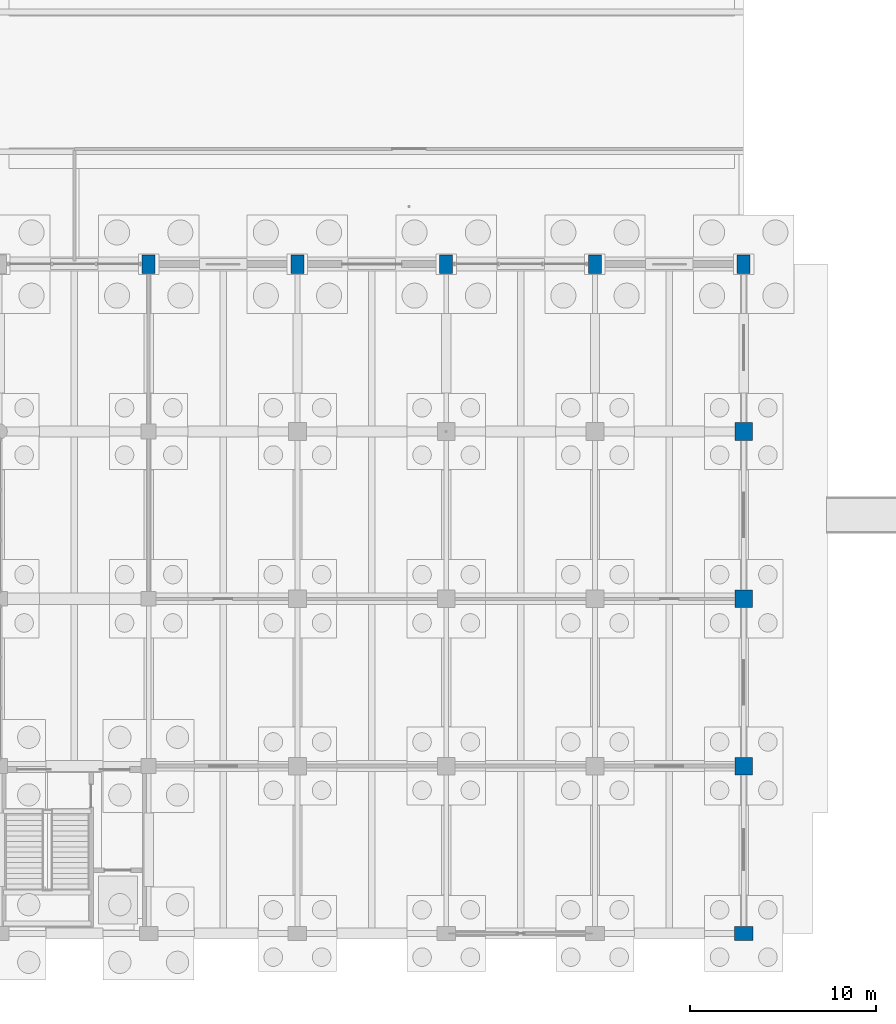
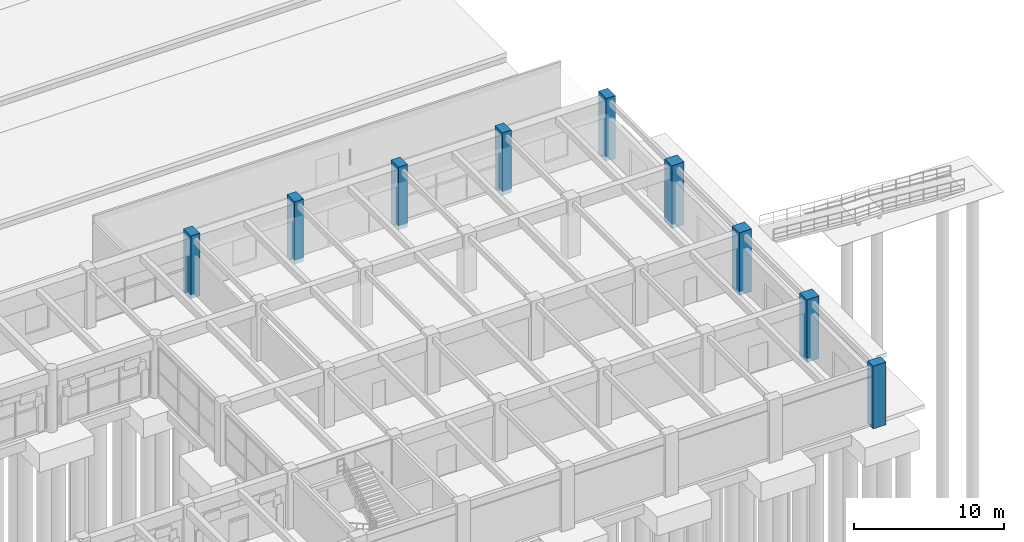
# One storey, part 20 of 147: 9 columns.
"""IFC4 building model written with IfcOpenShell, lengths in metres."""

from ifc_helpers import new_model, si_unit, direction, frame, origin, origin_2d, place, context, subcontext, project, spatial, rectangle, extrude, material, material_profile, profile_set, type_object, element, save


model = new_model("IFC4")

# Units and contexts
model_context = context("Model", 3, precision=1e-05, world=origin(), true_north=direction((0.0, 1.0)))
body_context = subcontext(model_context, "Body", "Model", "MODEL_VIEW")
ifc_project = project(units=[si_unit("LENGTHUNIT", "METRE"), si_unit("AREAUNIT", "SQUARE_METRE"), si_unit("VOLUMEUNIT", "CUBIC_METRE"), si_unit("PLANEANGLEUNIT", "RADIAN"), si_unit("MASSUNIT", "GRAM", prefix="KILO")], contexts=[model_context])

# Site, building, storey
site_placement = place(None, origin())
site = spatial("IfcSite", under=ifc_project, at=site_placement, CompositionType="ELEMENT")
building_placement = place(site_placement, origin())
building = spatial("IfcBuilding", under=site, at=building_placement, Name="Varnabhumi Central Station", CompositionType="ELEMENT")
storey_placement = place(building_placement, origin())
storey = spatial("IfcBuildingStorey", under=building, at=storey_placement, Name="L00", CompositionType="ELEMENT", Elevation=0.0)

# Columns
ifc_material = material(Name="Concrete M50", Category="concrete")
ifc_material_profile_1 = material_profile(ifc_material, rectangle(XDim=1.0, YDim=0.75, at=origin_2d()), Name="Concrete M50", Category="concrete")
ifc_profile_set_1 = profile_set([ifc_material_profile_1], Name="Concrete M50")
column_type_1 = type_object("IfcColumnType", Name="COL-RC-1000x750", PredefinedType="PILASTER", material=ifc_profile_set_1)
column_placement = place(storey_placement, frame((184.0, 0.0, -0.300048828125), z_axis=(0.0, 0.0, 1.0), x_axis=(1.0, 0.0, 0.0)))
element("IfcColumn", 1, at=column_placement, inside=storey, type_object=column_type_1, Name="Column L00-24A", PredefinedType="PILASTER", context=body_context, shape_type="SweptSolid", body=[
    extrude(rectangle(XDim=1.0, YDim=0.75, at=origin_2d()), origin(), (0.0, 0.0, 1.0), 5.10009765625),
])
ifc_material_profile_2 = material_profile(ifc_material, rectangle(XDim=0.949951171875, YDim=0.949951171875, at=origin_2d()), Name="Concrete M50", Category="concrete")
ifc_profile_set_2 = profile_set([ifc_material_profile_2], Name="Concrete M50")
column_type_2 = type_object("IfcColumnType", Name="COL-RC-950", PredefinedType="COLUMN", material=ifc_profile_set_2)
for number, where, z_axis, x_axis, name in (
    (2, (184.0, 9.0, -0.300048828125), (0.0, 0.0, 1.0), (1.0, 0.0, 0.0), "Column L00-24B"),
    (3, (184.0, 18.0, -0.300048828125), (0.0, 0.0, 1.0), (1.0, 0.0, 0.0), "Column L00-24C"),
    (4, (184.0, 27.0, -0.300048828125), (0.0, 0.0, 1.0), (1.0, 0.0, 0.0), "Column L00-24D"),
):
    element("IfcColumn", number, at=place(storey_placement, frame(where, z_axis=z_axis, x_axis=x_axis)), inside=storey, type_object=column_type_2, Name=name, PredefinedType="COLUMN", context=body_context, shape_type="SweptSolid", body=[
        extrude(rectangle(XDim=0.949951171875, YDim=0.949951171875, at=origin_2d()), origin(), (0.0, 0.0, 1.0), 5.10009765625),
    ])
ifc_material_profile_3 = material_profile(ifc_material, rectangle(XDim=0.699951171875, YDim=1.0, at=origin_2d()), Name="Concrete M50", Category="concrete")
ifc_profile_set_3 = profile_set([ifc_material_profile_3], Name="Concrete M50")
column_type_3 = type_object("IfcColumnType", Name="COL-SPINE-M50-1000x700", PredefinedType="COLUMN", material=ifc_profile_set_3)
for number, where, z_axis, x_axis, name in (
    (5, (152.0, 36.0, -0.300048828125), (0.0, 0.0, 1.0), (1.0, 0.0, 0.0), "Column L00-20E"),
    (6, (160.0, 36.0, -0.300048828125), (0.0, 0.0, 1.0), (1.0, 0.0, 0.0), "Column L00-21E"),
    (7, (168.0, 36.0, -0.300048828125), (0.0, 0.0, 1.0), (1.0, 0.0, 0.0), "Column L00-22E"),
    (8, (176.0, 36.0, -0.300048828125), (0.0, 0.0, 1.0), (1.0, 0.0, 0.0), "Column L00-23E"),
    (9, (184.0, 36.0, -0.300048828125), (0.0, 0.0, 1.0), (1.0, 0.0, 0.0), "Column L00-24E"),
):
    element("IfcColumn", number, at=place(storey_placement, frame(where, z_axis=z_axis, x_axis=x_axis)), inside=storey, type_object=column_type_3, Name=name, PredefinedType="COLUMN", context=body_context, shape_type="SweptSolid", body=[
        extrude(rectangle(XDim=0.699951171875, YDim=1.0, at=origin_2d()), origin(), (0.0, 0.0, 1.0), 5.10009765625),
    ])

save(model, "model.ifc")
